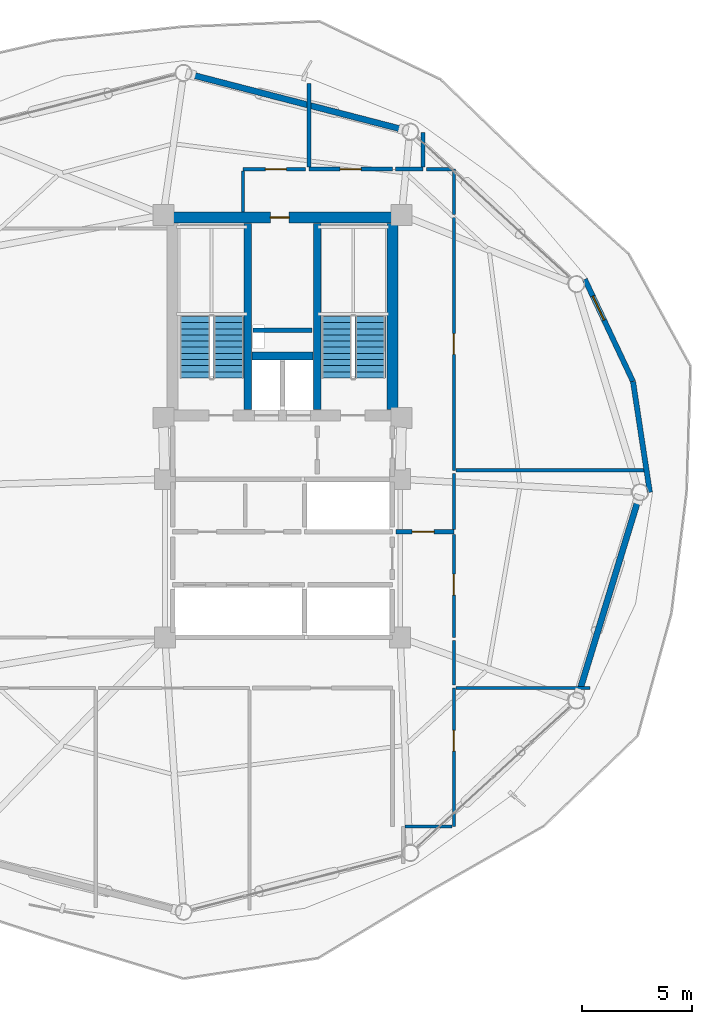
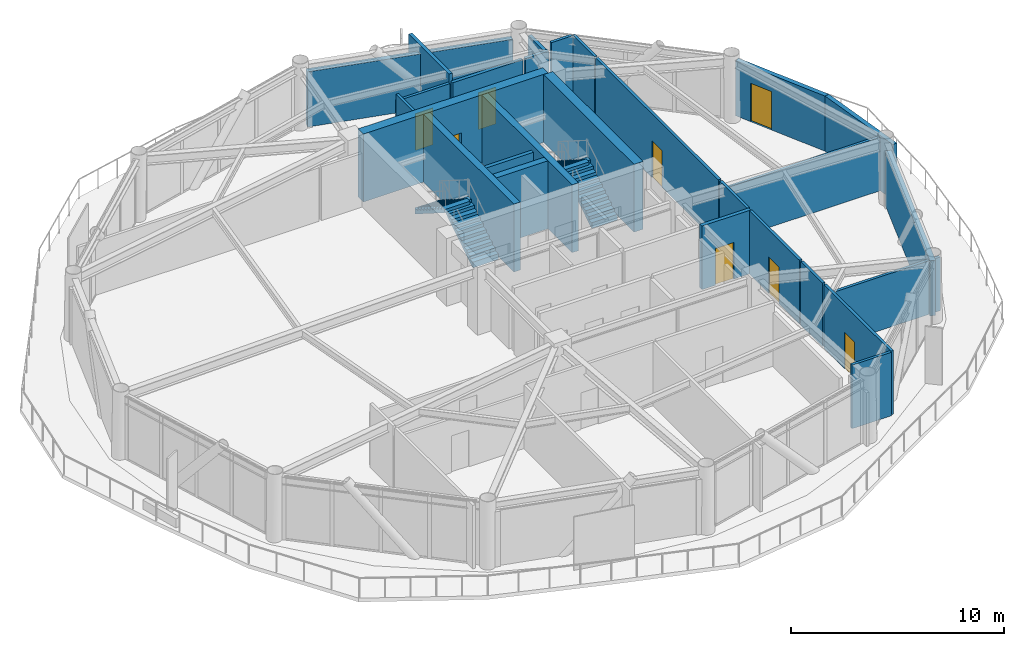
# One storey, part 19 of 23: 27 walls, 8 doors, 4 stair flights, 8 openings, 2 elements without a shape of their own.
"""IFC4 building model written with IfcOpenShell, lengths in metres."""

from ifc_helpers import new_model, si_unit, direction, frame, frame_2d, origin, place, context, subcontext, project, spatial, polyline, rectangle, outline, extrude, material, layer, layer_set, type_object, element, fill, aggregate, save


model = new_model("IFC4")

# Units and contexts
model_context = context("Model", 3, precision=1e-05, world=origin(), true_north=direction((0.0, 1.0)))
body_context = subcontext(model_context, "Body", "Model", "MODEL_VIEW")
ifc_project = project(units=[si_unit("LENGTHUNIT", "METRE"), si_unit("AREAUNIT", "SQUARE_METRE"), si_unit("VOLUMEUNIT", "CUBIC_METRE"), si_unit("PLANEANGLEUNIT", "RADIAN"), si_unit("MASSUNIT", "GRAM", prefix="KILO")], contexts=[model_context])

# Site, building, storey
site_placement = place(None, origin())
site = spatial("IfcSite", under=ifc_project, at=site_placement, CompositionType="ELEMENT")
building_placement = place(site_placement, origin())
building = spatial("IfcBuilding", under=site, at=building_placement, Name="Varnakorn Sky Granary", CompositionType="ELEMENT")
storey_placement = place(building_placement, frame((0.0, 0.0, 150.0)))
storey = spatial("IfcBuildingStorey", under=building, at=storey_placement, Name="L37", CompositionType="ELEMENT", Elevation=150.0)

# Walls
ifc_material_1 = material(Name="Concrete C50/60", Category="concrete")
ifc_layer_1 = layer(ifc_material_1, 0.35009765625, Name="Concrete C50/60")
ifc_layer_set_1 = layer_set([ifc_layer_1], Name="Concrete C50/60")
wall_type_1 = type_object("IfcWallType", Name="WT-CW-INT-350", PredefinedType="SHEAR", material=ifc_layer_set_1)
for number, where, z_axis, x_axis, name in (
    (1, (1.419921875, 3.760009765625, 0.0), (0.0, 0.0, 1.0), (0.0, 1.0, 0.0), "Stair ST-1 Core Wall L37"),
    (2, (4.580078125, 3.760009765625, 0.0), (0.0, 0.0, 1.0), (0.0, 1.0, 0.0), "Stair ST-2 Core Wall L37"),
):
    element("IfcWall", number, at=place(storey_placement, frame(where, z_axis=z_axis, x_axis=x_axis)), inside=storey, type_object=wall_type_1, Name=name, PredefinedType="SHEAR", context=body_context, shape_type="SweptSolid", body=[
        extrude(rectangle(XDim=8.47998046875, YDim=0.35009765625, at=frame_2d((4.239990234375, 0.0))), origin(), (0.0, 0.0, 1.0), 3.89208984375),
    ])
wall_1_placement = place(storey_placement, frame((1.610107421875, 6.199951171875, 0.0), z_axis=(0.0, 0.0, 1.0), x_axis=(1.0, 0.0, 0.0)))
element("IfcWall", 3, at=wall_1_placement, inside=storey, type_object=wall_type_1, Name="Core Lift Shaft Cross Wall L37", PredefinedType="SHEAR", context=body_context, shape_type="SweptSolid", body=[
    extrude(rectangle(XDim=2.77978515625, YDim=0.35009765625, at=frame_2d((1.389892578125, 0.0))), origin(), (0.0, 0.0, 1.0), 3.89208984375),
])

# Wall, opening, door
ifc_material_2 = material(Name="Concrete C60/75", Category="concrete")
ifc_layer_2 = layer(ifc_material_2, 0.5, Name="Concrete C60/75")
ifc_layer_set_2 = layer_set([ifc_layer_2], Name="Concrete C60/75")
wall_type_2 = type_object("IfcWallType", Name="WT-CW-SHEAR-500", PredefinedType="SHEAR", material=ifc_layer_set_2)
wall_2_placement = place(storey_placement, frame((-2.0, 12.5, 0.0), z_axis=(0.0, 0.0, 1.0), x_axis=(1.0, 0.0, 0.0)))
wall_2 = element("IfcWall", 4, at=wall_2_placement, inside=storey, type_object=wall_type_2, Name="Core North Shear Wall L37", PredefinedType="SHEAR", context=body_context, shape_type="SweptSolid", body=[
    extrude(rectangle(XDim=10.0, YDim=0.5, at=frame_2d((5.0, 0.0))), origin(), (0.0, 0.0, 1.0), 3.89208984375),
])
opening_1_placement = place(wall_2_placement, frame((4.449951171875, 0.0, 0.0)))
opening_1 = element("IfcOpeningElement", 5, at=opening_1_placement, cuts=wall_2, Name="Opening FD-60N", PredefinedType="OPENING", context=body_context, shape_type="SweptSolid", body=[
    extrude(rectangle(XDim=0.85009765625, YDim=2.10009765625, at=frame_2d((0.425048828125, 1.050048828125))), frame((0.0, 0.260009765625, 0.0), z_axis=(0.0, -1.0, 0.0), x_axis=(1.0, 0.0, 0.0)), (0.0, 0.0, 1.0), 0.52001953125),
])
ifc_material_3 = material(Name="Acoustic Timber Fire Leaf", Category="wood")
door_type_1 = type_object("IfcDoorType", Name="DR-FD60-850", OperationType="NOTDEFINED", PredefinedType="DOOR", material=ifc_material_3)
door_1_placement = place(opening_1_placement, origin())
door_1 = element("IfcDoor", 6, at=door_1_placement, inside=storey, type_object=door_type_1, Name="Core North Service Door L37", OperationType="SINGLE_SWING_LEFT", OverallHeight=2.10009765625, OverallWidth=0.85009765625, PredefinedType="DOOR", context=body_context, shape_type="SweptSolid", body=[
    extrude(rectangle(XDim=0.85009765625, YDim=2.10009765625, at=frame_2d((0.425048828125, 1.050048828125))), frame((0.0, 0.02490234375, 0.0), z_axis=(0.0, -1.0, 0.0), x_axis=(1.0, 0.0, 0.0)), (0.0, 0.0, 1.0), 0.050048828125),
])
fill(opening_1, door_1)

# Walls
wall_3_placement = place(storey_placement, frame((8.0, 3.760009765625, 0.0), z_axis=(0.0, 0.0, 1.0), x_axis=(0.0, 1.0, 0.0)))
element("IfcWall", 7, at=wall_3_placement, inside=storey, type_object=wall_type_2, Name="Core East Shear Wall L37", PredefinedType="SHEAR", context=body_context, shape_type="SweptSolid", body=[
    extrude(rectangle(XDim=8.47998046875, YDim=0.5, at=frame_2d((4.239990234375, 0.0))), origin(), (0.0, 0.0, 1.0), 3.89208984375),
])
ifc_material_4 = material(Name="Precast concrete C40/50", Category="concrete")
ifc_layer_3 = layer(ifc_material_4, 0.239990234375, Name="Precast concrete C40/50")
ifc_layer_set_3 = layer_set([ifc_layer_3], Name="Precast concrete C40/50")
wall_type_3 = type_object("IfcWallType", Name="WT-EW-BAL-260", PredefinedType="SOLIDWALL", material=ifc_layer_set_3)
wall_4_placement = place(storey_placement, frame((18.94677734375, 5.0400390625, 0.0), z_axis=(0.0, 0.0, 1.0), x_axis=(0.150279190665, -0.988643598499, 0.0)))
element("IfcWall", 8, at=wall_4_placement, inside=storey, type_object=wall_type_3, Name="Balcony Threshold Facade Wall L37-B01A", PredefinedType="SOLIDWALL", context=body_context, shape_type="SweptSolid", body=[
    extrude(rectangle(XDim=5.097900390625, YDim=0.239990234375, at=frame_2d((2.548828125, 0.0))), origin(), (0.0, 0.0, 1.0), 3.159912109375),
])

# Wall, opening, door
wall_5_placement = place(storey_placement, frame((16.754150390625, 9.69140625, 0.0), z_axis=(0.0, 0.0, 1.0), x_axis=(0.426393705242, -0.904537676457, 0.0)))
wall_5 = element("IfcWall", 9, at=wall_5_placement, inside=storey, type_object=wall_type_3, Name="Balcony Return Facade Wall L37-B01B", PredefinedType="SOLIDWALL", context=body_context, shape_type="SweptSolid", body=[
    extrude(rectangle(XDim=5.142333984375, YDim=0.239990234375, at=frame_2d((2.5712890625, 0.0))), origin(), (0.0, 0.0, 1.0), 3.159912109375),
])
opening_2_placement = place(wall_5_placement, frame((0.85009765625, 0.0, 0.0)))
opening_2 = element("IfcOpeningElement", 10, at=opening_2_placement, cuts=wall_5, Name="Opening BD-01", PredefinedType="OPENING", context=body_context, shape_type="SweptSolid", body=[
    extrude(rectangle(XDim=1.199951171875, YDim=2.199951171875, at=frame_2d((0.60009765625, 1.10009765625))), frame((0.0, 0.1298828125, 0.0), z_axis=(0.0, -1.0, 0.0), x_axis=(1.0, 0.0, 0.0)), (0.0, 0.0, 1.0), 0.260009765625),
])
ifc_material_5 = material(Name="Anodised Bronze Aluminium Alloy 6063-T6", Category="aluminium")
door_type_2 = type_object("IfcDoorType", Name="DR-BAL-1200", OperationType="NOTDEFINED", PredefinedType="DOOR", material=ifc_material_5)
door_2_placement = place(opening_2_placement, origin())
door_2 = element("IfcDoor", 11, at=door_2_placement, inside=storey, type_object=door_type_2, Name="Sky-Farm Balcony Access Door L37", OperationType="SINGLE_SWING_LEFT", OverallHeight=2.199951171875, OverallWidth=1.199951171875, PredefinedType="DOOR", context=body_context, shape_type="SweptSolid", body=[
    extrude(rectangle(XDim=1.199951171875, YDim=2.199951171875, at=frame_2d((0.60009765625, 1.10009765625))), frame((0.0, 0.02490234375, 0.0), z_axis=(0.0, -1.0, 0.0), x_axis=(1.0, 0.0, 0.0)), (0.0, 0.0, 1.0), 0.050048828125),
])
fill(opening_2, door_2)

# Walls
ifc_layer_4 = layer(ifc_material_4, 0.280029296875, Name="Precast concrete C40/50")
ifc_layer_set_4 = layer_set([ifc_layer_4], Name="Precast concrete C40/50")
wall_type_4 = type_object("IfcWallType", Name="WT-EW-CRN-280", PredefinedType="SOLIDWALL", material=ifc_layer_set_4)
wall_6_placement = place(storey_placement, frame((-1.1748046875, 19.003662109375, 0.0), z_axis=(0.0, 0.0, 1.0), x_axis=(0.968054026721, -0.250741702452, 0.0)))
element("IfcWall", 12, at=wall_6_placement, inside=storey, type_object=wall_type_4, Name="Agritech Insulated Precast Facade Wall L37-P03", PredefinedType="SOLIDWALL", context=body_context, shape_type="SweptSolid", body=[
    extrude(rectangle(XDim=9.992919921875, YDim=0.280029296875, at=frame_2d((4.99658203125, 0.0))), origin(), (0.0, 0.0, 1.0), 3.159912109375),
])
wall_7_placement = place(storey_placement, frame((19.1845703125, -0.3212890625, 0.0), z_axis=(0.0, 0.0, 1.0), x_axis=(-0.29274484374, -0.956190596306, 0.0)))
element("IfcWall", 13, at=wall_7_placement, inside=storey, type_object=wall_type_4, Name="Agritech Insulated Precast Facade Wall L37-P12", PredefinedType="SOLIDWALL", context=body_context, shape_type="SweptSolid", body=[
    extrude(rectangle(XDim=9.23876953125, YDim=0.280029296875, at=frame_2d((4.619384765625, 0.0))), origin(), (0.0, 0.0, 1.0), 3.159912109375),
])

# Wall, opening, door
ifc_material_6 = material(Name="Autoclaved Aerated Concrete Blockwork", Category="masonry")
ifc_layer_5 = layer(ifc_material_6, 0.199951171875, Name="Autoclaved Aerated Concrete Blockwork")
ifc_layer_set_5 = layer_set([ifc_layer_5], Name="Autoclaved Aerated Concrete Blockwork")
wall_type_5 = type_object("IfcWallType", Name="WT-FIRE-200", PredefinedType="MOVABLE", material=ifc_layer_set_5)
wall_8_placement = place(storey_placement, frame((8.159912109375, -1.800048828125, 0.0), z_axis=(0.0, 0.0, 1.0), x_axis=(1.0, 0.0, 0.0)))
wall_8 = element("IfcWall", 14, at=wall_8_placement, inside=storey, type_object=wall_type_5, Name="Interior Partition Wall L37-018", PredefinedType="MOVABLE", context=body_context, shape_type="SweptSolid", body=[
    extrude(rectangle(XDim=2.64013671875, YDim=0.199951171875, at=frame_2d((1.320068359375, 0.0))), origin(), (0.0, 0.0, 1.0), 3.639892578125),
])
opening_3_placement = place(wall_8_placement, frame((0.739990234375, 0.0, 0.0)))
opening_3 = element("IfcOpeningElement", 15, at=opening_3_placement, cuts=wall_8, Name="Opening FD-60", PredefinedType="OPENING", context=body_context, shape_type="SweptSolid", body=[
    extrude(rectangle(XDim=1.0, YDim=2.10009765625, at=frame_2d((0.5, 1.050048828125))), frame((0.0, 0.10986328125, 0.0), z_axis=(0.0, -1.0, 0.0), x_axis=(1.0, 0.0, 0.0)), (0.0, 0.0, 1.0), 0.219970703125),
])
door_type_3 = type_object("IfcDoorType", Name="DR-FD60-1000", OperationType="NOTDEFINED", PredefinedType="DOOR", material=ifc_material_3)
door_3_placement = place(opening_3_placement, origin())
door_3 = element("IfcDoor", 16, at=door_3_placement, inside=storey, type_object=door_type_3, Name="Interior Door L37-018-1", OperationType="SINGLE_SWING_LEFT", OverallHeight=2.10009765625, OverallWidth=1.0, PredefinedType="DOOR", context=body_context, shape_type="SweptSolid", body=[
    extrude(rectangle(XDim=1.0, YDim=2.10009765625, at=frame_2d((0.5, 1.050048828125))), frame((0.0, 0.02490234375, 0.0), z_axis=(0.0, -1.0, 0.0), x_axis=(1.0, 0.0, 0.0)), (0.0, 0.0, 1.0), 0.050048828125),
])
fill(opening_3, door_3)

ifc_material_7 = material(Name="Gypsum Plasterboard on Steel Stud", Category="steel")
ifc_layer_6 = layer(ifc_material_7, 0.14990234375, Name="Gypsum Plasterboard on Steel Stud")
ifc_layer_set_6 = layer_set([ifc_layer_6], Name="Gypsum Plasterboard on Steel Stud")
wall_type_6 = type_object("IfcWallType", Name="WT-PART-150", PredefinedType="PARTITIONING", material=ifc_layer_set_6)
wall_9_placement = place(storey_placement, frame((10.800048828125, -15.199951171875, 0.0), z_axis=(0.0, 0.0, 1.0), x_axis=(0.0, 1.0, 0.0)))
wall_9 = element("IfcWall", 17, at=wall_9_placement, inside=storey, type_object=wall_type_6, Name="Interior Partition Wall L37-023", PredefinedType="PARTITIONING", context=body_context, shape_type="SweptSolid", body=[
    extrude(rectangle(XDim=6.300048828125, YDim=0.14990234375, at=frame_2d((3.14990234375, 0.0))), origin(), (0.0, 0.0, 1.0), 3.639892578125),
])
opening_4_placement = place(wall_9_placement, frame((3.425048828125, 0.0, 0.0)))
opening_4 = element("IfcOpeningElement", 18, at=opening_4_placement, cuts=wall_9, Name="Opening ID-95", PredefinedType="OPENING", context=body_context, shape_type="SweptSolid", body=[
    extrude(rectangle(XDim=0.949951171875, YDim=2.10009765625, at=frame_2d((0.47509765625, 1.050048828125))), frame((0.0, 0.0849609375, 0.0), z_axis=(0.0, -1.0, 0.0), x_axis=(1.0, 0.0, 0.0)), (0.0, 0.0, 1.0), 0.169921875),
])
ifc_material_8 = material(Name="Solid-Core Teak Veneer Leaf", Category="timber")
door_type_4 = type_object("IfcDoorType", Name="DR-INT-950", OperationType="NOTDEFINED", PredefinedType="DOOR", material=ifc_material_8)
door_4_placement = place(opening_4_placement, origin())
door_4 = element("IfcDoor", 19, at=door_4_placement, inside=storey, type_object=door_type_4, Name="Interior Door L37-023-1", OperationType="SINGLE_SWING_RIGHT", OverallHeight=2.10009765625, OverallWidth=0.949951171875, PredefinedType="DOOR", context=body_context, shape_type="SweptSolid", body=[
    extrude(rectangle(XDim=0.949951171875, YDim=2.10009765625, at=frame_2d((0.47509765625, 1.050048828125))), frame((0.0, 0.02490234375, 0.0), z_axis=(0.0, -1.0, 0.0), x_axis=(1.0, 0.0, 0.0)), (0.0, 0.0, 1.0), 0.050048828125),
])
fill(opening_4, door_4)

wall_10_placement = place(storey_placement, frame((4.050048828125, 14.699951171875, 0.0), z_axis=(0.0, 0.0, 1.0), x_axis=(-1.0, 0.0, 0.0)))
wall_10 = element("IfcWall", 20, at=wall_10_placement, inside=storey, type_object=wall_type_6, Name="Interior Partition Wall L37-025", PredefinedType="PARTITIONING", context=body_context, shape_type="SweptSolid", body=[
    extrude(rectangle(XDim=2.85009765625, YDim=0.14990234375, at=frame_2d((1.425048828125, 0.0))), origin(), (0.0, 0.0, 1.0), 3.221923828125),
])
opening_5_placement = place(wall_10_placement, frame((0.875, 0.0, 0.0)))
opening_5 = element("IfcOpeningElement", 21, at=opening_5_placement, cuts=wall_10, Name="Opening ID-95", PredefinedType="OPENING", context=body_context, shape_type="SweptSolid", body=[
    extrude(rectangle(XDim=0.949951171875, YDim=2.10009765625, at=frame_2d((0.47509765625, 1.050048828125))), frame((0.0, 0.0849609375, 0.0), z_axis=(0.0, -1.0, 0.0), x_axis=(1.0, 0.0, 0.0)), (0.0, 0.0, 1.0), 0.169921875),
])
door_5_placement = place(opening_5_placement, origin())
door_5 = element("IfcDoor", 22, at=door_5_placement, inside=storey, type_object=door_type_4, Name="Interior Door L37-025-1", OperationType="SINGLE_SWING_RIGHT", OverallHeight=2.10009765625, OverallWidth=0.949951171875, PredefinedType="DOOR", context=body_context, shape_type="SweptSolid", body=[
    extrude(rectangle(XDim=0.949951171875, YDim=2.10009765625, at=frame_2d((0.47509765625, 1.050048828125))), frame((0.0, 0.02490234375, 0.0), z_axis=(0.0, -1.0, 0.0), x_axis=(1.0, 0.0, 0.0)), (0.0, 0.0, 1.0), 0.050048828125),
])
fill(opening_5, door_5)

wall_11_placement = place(storey_placement, frame((10.800048828125, -6.60009765625, 0.0), z_axis=(0.0, 0.0, 1.0), x_axis=(0.0, 1.0, 0.0)))
wall_11 = element("IfcWall", 23, at=wall_11_placement, inside=storey, type_object=wall_type_6, Name="Interior Partition Wall L37-026", PredefinedType="PARTITIONING", context=body_context, shape_type="SweptSolid", body=[
    extrude(rectangle(XDim=4.690185546875, YDim=0.14990234375, at=frame_2d((2.34521484375, 0.0))), origin(), (0.0, 0.0, 1.0), 3.639892578125),
])
opening_6_placement = place(wall_11_placement, frame((1.925048828125, 0.0, 0.0)))
opening_6 = element("IfcOpeningElement", 24, at=opening_6_placement, cuts=wall_11, Name="Opening ID-95", PredefinedType="OPENING", context=body_context, shape_type="SweptSolid", body=[
    extrude(rectangle(XDim=0.949951171875, YDim=2.10009765625, at=frame_2d((0.47509765625, 1.050048828125))), frame((0.0, 0.0849609375, 0.0), z_axis=(0.0, -1.0, 0.0), x_axis=(1.0, 0.0, 0.0)), (0.0, 0.0, 1.0), 0.169921875),
])
door_6_placement = place(opening_6_placement, origin())
door_6 = element("IfcDoor", 25, at=door_6_placement, inside=storey, type_object=door_type_4, Name="Interior Door L37-026-1", OperationType="SINGLE_SWING_LEFT", OverallHeight=2.10009765625, OverallWidth=0.949951171875, PredefinedType="DOOR", context=body_context, shape_type="SweptSolid", body=[
    extrude(rectangle(XDim=0.949951171875, YDim=2.10009765625, at=frame_2d((0.47509765625, 1.050048828125))), frame((0.0, 0.02490234375, 0.0), z_axis=(0.0, -1.0, 0.0), x_axis=(1.0, 0.0, 0.0)), (0.0, 0.0, 1.0), 0.050048828125),
])
fill(opening_6, door_6)

wall_12_placement = place(storey_placement, frame((10.800048828125, 1.0, 0.0), z_axis=(0.0, 0.0, 1.0), x_axis=(0.0, 1.0, 0.0)))
wall_12 = element("IfcWall", 26, at=wall_12_placement, inside=storey, type_object=wall_type_6, Name="Interior Partition Wall L37-027", PredefinedType="PARTITIONING", context=body_context, shape_type="SweptSolid", body=[
    extrude(rectangle(XDim=11.5, YDim=0.14990234375, at=frame_2d((5.75, 0.0))), origin(), (0.0, 0.0, 1.0), 3.639892578125),
])
opening_7_placement = place(wall_12_placement, frame((5.27490234375, 0.0, 0.0)))
opening_7 = element("IfcOpeningElement", 27, at=opening_7_placement, cuts=wall_12, Name="Opening ID-95", PredefinedType="OPENING", context=body_context, shape_type="SweptSolid", body=[
    extrude(rectangle(XDim=0.949951171875, YDim=2.10009765625, at=frame_2d((0.47509765625, 1.050048828125))), frame((0.0, 0.0849609375, 0.0), z_axis=(0.0, -1.0, 0.0), x_axis=(1.0, 0.0, 0.0)), (0.0, 0.0, 1.0), 0.169921875),
])
door_7_placement = place(opening_7_placement, origin())
door_7 = element("IfcDoor", 28, at=door_7_placement, inside=storey, type_object=door_type_4, Name="Interior Door L37-027-1", OperationType="SINGLE_SWING_RIGHT", OverallHeight=2.10009765625, OverallWidth=0.949951171875, PredefinedType="DOOR", context=body_context, shape_type="SweptSolid", body=[
    extrude(rectangle(XDim=0.949951171875, YDim=2.10009765625, at=frame_2d((0.47509765625, 1.050048828125))), frame((0.0, 0.02490234375, 0.0), z_axis=(0.0, -1.0, 0.0), x_axis=(1.0, 0.0, 0.0)), (0.0, 0.0, 1.0), 0.050048828125),
])
fill(opening_7, door_7)

# Walls
wall_13_placement = place(storey_placement, frame((8.5849609375, -15.199951171875, 0.0), z_axis=(0.0, 0.0, 1.0), x_axis=(1.0, 0.0, 0.0)))
element("IfcWall", 29, at=wall_13_placement, inside=storey, type_object=wall_type_6, Name="Interior Partition Wall L37-039", PredefinedType="PARTITIONING", context=body_context, shape_type="SweptSolid", body=[
    extrude(rectangle(XDim=2.130126953125, YDim=0.14990234375, at=frame_2d((1.06494140625, 0.0))), origin(), (0.0, 0.0, 1.0), 3.639892578125),
])
wall_14_placement = place(storey_placement, frame((10.885009765625, -8.89990234375, 0.0), z_axis=(0.0, 0.0, 1.0), x_axis=(1.0, 0.0, 0.0)))
element("IfcWall", 30, at=wall_14_placement, inside=storey, type_object=wall_type_6, Name="Interior Partition Wall L37-040", PredefinedType="PARTITIONING", context=body_context, shape_type="SweptSolid", body=[
    extrude(rectangle(XDim=6.110107421875, YDim=0.14990234375, at=frame_2d((3.05517578125, 0.0))), origin(), (0.0, 0.0, 1.0), 3.072021484375),
])
wall_15_placement = place(storey_placement, frame((1.199951171875, 14.614990234375, 0.0), z_axis=(0.0, 0.0, 1.0), x_axis=(0.0, -1.0, 0.0)))
element("IfcWall", 31, at=wall_15_placement, inside=storey, type_object=wall_type_6, Name="Interior Partition Wall L37-044", PredefinedType="PARTITIONING", context=body_context, shape_type="SweptSolid", body=[
    extrude(rectangle(XDim=1.85498046875, YDim=0.14990234375, at=frame_2d((0.927490234375, 0.0))), origin(), (0.0, 0.0, 1.0), 3.639892578125),
])
wall_16_placement = place(storey_placement, frame((10.800048828125, -8.764892578125, 0.0), z_axis=(0.0, 0.0, 1.0), x_axis=(0.0, 1.0, 0.0)))
element("IfcWall", 32, at=wall_16_placement, inside=storey, type_object=wall_type_6, Name="Interior Partition Wall L37-046", PredefinedType="PARTITIONING", context=body_context, shape_type="SweptSolid", body=[
    extrude(rectangle(XDim=2.02978515625, YDim=0.14990234375, at=frame_2d((1.014892578125, 0.0))), origin(), (0.0, 0.0, 1.0), 3.639892578125),
])
wall_17_placement = place(storey_placement, frame((10.800048828125, -1.68994140625, 0.0), z_axis=(0.0, 0.0, 1.0), x_axis=(0.0, 1.0, 0.0)))
element("IfcWall", 33, at=wall_17_placement, inside=storey, type_object=wall_type_6, Name="Interior Partition Wall L37-047", PredefinedType="PARTITIONING", context=body_context, shape_type="SweptSolid", body=[
    extrude(rectangle(XDim=2.554931640625, YDim=0.14990234375, at=frame_2d((1.27734375, 0.0))), origin(), (0.0, 0.0, 1.0), 3.639892578125),
])
wall_18_placement = place(storey_placement, frame((10.885009765625, 1.0, 0.0), z_axis=(0.0, 0.0, 1.0), x_axis=(1.0, 0.0, 0.0)))
element("IfcWall", 34, at=wall_18_placement, inside=storey, type_object=wall_type_6, Name="Interior Partition Wall L37-048", PredefinedType="PARTITIONING", context=body_context, shape_type="SweptSolid", body=[
    extrude(rectangle(XDim=8.555908203125, YDim=0.14990234375, at=frame_2d((4.27783203125, 0.0))), origin(), (0.0, 0.0, 1.0), 3.072021484375),
])
wall_19_placement = place(storey_placement, frame((10.800048828125, 12.635009765625, 0.0), z_axis=(0.0, 0.0, 1.0), x_axis=(0.0, 1.0, 0.0)))
element("IfcWall", 35, at=wall_19_placement, inside=storey, type_object=wall_type_6, Name="Interior Partition Wall L37-049", PredefinedType="PARTITIONING", context=body_context, shape_type="SweptSolid", body=[
    extrude(rectangle(XDim=2.06494140625, YDim=0.14990234375, at=frame_2d((1.032470703125, 0.0))), origin(), (0.0, 0.0, 1.0), 3.639892578125),
])
wall_20_placement = place(storey_placement, frame((10.715087890625, 14.699951171875, 0.0), z_axis=(0.0, 0.0, 1.0), x_axis=(-1.0, 0.0, 0.0)))
element("IfcWall", 36, at=wall_20_placement, inside=storey, type_object=wall_type_6, Name="Interior Partition Wall L37-050", PredefinedType="PARTITIONING", context=body_context, shape_type="SweptSolid", body=[
    extrude(rectangle(XDim=1.1650390625, YDim=0.14990234375, at=frame_2d((0.58251953125, 0.0))), origin(), (0.0, 0.0, 1.0), 3.639892578125),
])

# Wall, opening, door
ifc_material_9 = material(Name="Moisture-Resistant Gypsum on Stud", Category="gypsum")
ifc_layer_7 = layer(ifc_material_9, 0.179931640625, Name="Moisture-Resistant Gypsum on Stud")
ifc_layer_set_7 = layer_set([ifc_layer_7], Name="Moisture-Resistant Gypsum on Stud")
wall_type_7 = type_object("IfcWallType", Name="WT-PLUMB-180", PredefinedType="PLUMBINGWALL", material=ifc_layer_set_7)
wall_21_placement = place(storey_placement, frame((8.0, 14.699951171875, 0.0), z_axis=(0.0, 0.0, 1.0), x_axis=(-1.0, 0.0, 0.0)))
wall_21 = element("IfcWall", 37, at=wall_21_placement, inside=storey, type_object=wall_type_7, Name="Interior Partition Wall L37-019", PredefinedType="PLUMBINGWALL", context=body_context, shape_type="SweptSolid", body=[
    extrude(rectangle(XDim=3.800048828125, YDim=0.179931640625, at=frame_2d((1.89990234375, 0.0))), origin(), (0.0, 0.0, 1.0), 3.221923828125),
])
opening_8_placement = place(wall_21_placement, frame((1.425048828125, 0.0, 0.0)))
opening_8 = element("IfcOpeningElement", 38, at=opening_8_placement, cuts=wall_21, Name="Opening ID-95", PredefinedType="OPENING", context=body_context, shape_type="SweptSolid", body=[
    extrude(rectangle(XDim=0.949951171875, YDim=2.10009765625, at=frame_2d((0.47509765625, 1.050048828125))), frame((0.0, 0.10009765625, 0.0), z_axis=(0.0, -1.0, 0.0), x_axis=(1.0, 0.0, 0.0)), (0.0, 0.0, 1.0), 0.199951171875),
])
door_8_placement = place(opening_8_placement, origin())
door_8 = element("IfcDoor", 39, at=door_8_placement, inside=storey, type_object=door_type_4, Name="Interior Door L37-019-1", OperationType="SINGLE_SWING_RIGHT", OverallHeight=2.10009765625, OverallWidth=0.949951171875, PredefinedType="DOOR", context=body_context, shape_type="SweptSolid", body=[
    extrude(rectangle(XDim=0.949951171875, YDim=2.10009765625, at=frame_2d((0.47509765625, 1.050048828125))), frame((0.0, 0.02490234375, 0.0), z_axis=(0.0, -1.0, 0.0), x_axis=(1.0, 0.0, 0.0)), (0.0, 0.0, 1.0), 0.050048828125),
])
fill(opening_8, door_8)

# Walls
wall_22_placement = place(storey_placement, frame((9.39990234375, 14.699951171875, 0.0), z_axis=(0.0, 0.0, 1.0), x_axis=(-1.0, 0.0, 0.0)))
element("IfcWall", 40, at=wall_22_placement, inside=storey, type_object=wall_type_7, Name="Interior Partition Wall L37-033", PredefinedType="PLUMBINGWALL", context=body_context, shape_type="SweptSolid", body=[
    extrude(rectangle(XDim=1.25, YDim=0.179931640625, at=frame_2d((0.625, 0.0))), origin(), (0.0, 0.0, 1.0), 3.221923828125),
])
wall_23_placement = place(storey_placement, frame((4.199951171875, 18.593017578125, 0.0), z_axis=(0.0, 0.0, 1.0), x_axis=(0.0, -1.0, 0.0)))
element("IfcWall", 41, at=wall_23_placement, inside=storey, type_object=wall_type_7, Name="Interior Partition Wall L37-045", PredefinedType="PLUMBINGWALL", context=body_context, shape_type="SweptSolid", body=[
    extrude(rectangle(XDim=3.79296875, YDim=0.179931640625, at=frame_2d((1.896484375, 0.0))), origin(), (0.0, 0.0, 1.0), 3.639892578125),
])
wall_24_placement = place(storey_placement, frame((9.39990234375, 14.800048828125, 0.0), z_axis=(0.0, 0.0, 1.0), x_axis=(0.0, 1.0, 0.0)))
element("IfcWall", 42, at=wall_24_placement, inside=storey, type_object=wall_type_7, Name="Interior Partition Wall L37-051", PredefinedType="PLUMBINGWALL", context=body_context, shape_type="SweptSolid", body=[
    extrude(rectangle(XDim=1.579833984375, YDim=0.179931640625, at=frame_2d((0.7900390625, 0.0))), origin(), (0.0, 0.0, 1.0), 3.072021484375),
])
ifc_layer_8 = layer(ifc_material_6, 0.199951171875, Name="Autoclaved Aerated Concrete Blockwork")
ifc_layer_set_8 = layer_set([ifc_layer_8], Name="Autoclaved Aerated Concrete Blockwork")
wall_type_8 = type_object("IfcWallType", Name="WT-SHAFT-200", PredefinedType="SOLIDWALL", material=ifc_layer_set_8)
wall_25_placement = place(storey_placement, frame((1.64990234375, 7.3798828125, 0.0), z_axis=(0.0, 0.0, 1.0), x_axis=(1.0, 0.0, 0.0)))
element("IfcWall", 43, at=wall_25_placement, inside=storey, type_object=wall_type_8, Name="Interior Partition Wall L37-002", PredefinedType="SOLIDWALL", context=body_context, shape_type="SweptSolid", body=[
    extrude(rectangle(XDim=2.7001953125, YDim=0.199951171875, at=frame_2d((1.35009765625, 0.0))), origin(), (0.0, 0.0, 1.0), 3.639892578125),
])

# Stair, stair flights
ifc_material_10 = material(Name="Concrete C40/50", Category="concrete")
stair_type = type_object("IfcStairType", Name="ST-MAIN-ASSEMBLY", PredefinedType="HALF_TURN_STAIR", material=ifc_material_10)
stair_1_placement = place(storey_placement, origin())
stair_1 = element("IfcStair", 44, at=stair_1_placement, inside=storey, type_object=stair_type, Name="L37 Protected Exit Stair ST-1", PredefinedType="HALF_TURN_STAIR")
stair_flight_type = type_object("IfcStairFlightType", Name="ST-MAIN-FLIGHT", PredefinedType="STRAIGHT", material=ifc_material_10)
stair_flight_1_placement = place(storey_placement, frame((0.550048828125, 5.199951171875, 0.0), z_axis=(0.0, 0.0, 1.0), x_axis=(0.0, 1.0, 0.0)))
stair_flight_1 = element("IfcStairFlight", 45, at=stair_flight_1_placement, type_object=stair_flight_type, Name="ST-1 flight 1", NumberOfRisers=11, NumberOfTreads=10, PredefinedType="STRAIGHT", RiserHeight=0.177272727, TreadLength=0.28, context=body_context, shape_type="SweptSolid", body=[
    extrude(outline(polyline([(0.0, -0.14990234375), (0.0, 0.0), (0.0, 0.17724609375), (0.280029296875, 0.17724609375), (0.280029296875, 0.3544921875), (0.56005859375, 0.3544921875), (0.56005859375, 0.53173828125), (0.840087890625, 0.53173828125), (0.840087890625, 0.708984375), (1.1201171875, 0.708984375), (1.1201171875, 0.886474609375), (1.39990234375, 0.886474609375), (1.39990234375, 1.063720703125), (1.679931640625, 1.063720703125), (1.679931640625, 1.240966796875), (1.9599609375, 1.240966796875), (1.9599609375, 1.418212890625), (2.239990234375, 1.418212890625), (2.239990234375, 1.595458984375), (2.52001953125, 1.595458984375), (2.52001953125, 1.772705078125), (2.800048828125, 1.772705078125), (2.800048828125, 1.949951171875), (2.800048828125, 1.59521484375), (0.050048828125, -0.14990234375), (0.0, -0.14990234375)])), frame((0.0, 0.68994140625, 0.0), z_axis=(0.0, -1.0, 0.0), x_axis=(1.0, 0.0, 0.0)), (0.0, 0.0, 1.0), 1.3798828125),
])
stair_flight_2_placement = place(storey_placement, frame((-0.97998046875, 8.0, 1.949951171875), z_axis=(0.0, 0.0, 1.0), x_axis=(0.0, -1.0, 0.0)))
stair_flight_2 = element("IfcStairFlight", 46, at=stair_flight_2_placement, type_object=stair_flight_type, Name="ST-1 flight 2", NumberOfRisers=11, NumberOfTreads=10, PredefinedType="STRAIGHT", RiserHeight=0.177272727, TreadLength=0.28, context=body_context, shape_type="SweptSolid", body=[
    extrude(outline(polyline([(0.0, -0.14990234375), (0.0, 0.0), (0.0, 0.17724609375), (0.280029296875, 0.17724609375), (0.280029296875, 0.3544921875), (0.56005859375, 0.3544921875), (0.56005859375, 0.53173828125), (0.840087890625, 0.53173828125), (0.840087890625, 0.708984375), (1.1201171875, 0.708984375), (1.1201171875, 0.886474609375), (1.39990234375, 0.886474609375), (1.39990234375, 1.063720703125), (1.679931640625, 1.063720703125), (1.679931640625, 1.240966796875), (1.9599609375, 1.240966796875), (1.9599609375, 1.418212890625), (2.239990234375, 1.418212890625), (2.239990234375, 1.595458984375), (2.52001953125, 1.595458984375), (2.52001953125, 1.772705078125), (2.800048828125, 1.772705078125), (2.800048828125, 1.949951171875), (2.800048828125, 1.59521484375), (0.050048828125, -0.14990234375), (0.0, -0.14990234375)])), frame((0.0, 0.68994140625, 0.0), z_axis=(0.0, -1.0, 0.0), x_axis=(1.0, 0.0, 0.0)), (0.0, 0.0, 1.0), 1.3798828125),
])
aggregate(stair_1, [stair_flight_1, stair_flight_2])

stair_2_placement = place(storey_placement, origin())
stair_2 = element("IfcStair", 47, at=stair_2_placement, inside=storey, type_object=stair_type, Name="L37 Protected Exit Stair ST-2", PredefinedType="HALF_TURN_STAIR")
stair_flight_3_placement = place(storey_placement, frame((6.989990234375, 5.199951171875, 0.0), z_axis=(0.0, 0.0, 1.0), x_axis=(0.0, 1.0, 0.0)))
stair_flight_3 = element("IfcStairFlight", 48, at=stair_flight_3_placement, type_object=stair_flight_type, Name="ST-2 flight 1", NumberOfRisers=11, NumberOfTreads=10, PredefinedType="STRAIGHT", RiserHeight=0.177272727, TreadLength=0.28, context=body_context, shape_type="SweptSolid", body=[
    extrude(outline(polyline([(0.0, -0.14990234375), (0.0, 0.0), (0.0, 0.17724609375), (0.280029296875, 0.17724609375), (0.280029296875, 0.3544921875), (0.56005859375, 0.3544921875), (0.56005859375, 0.53173828125), (0.840087890625, 0.53173828125), (0.840087890625, 0.708984375), (1.1201171875, 0.708984375), (1.1201171875, 0.886474609375), (1.39990234375, 0.886474609375), (1.39990234375, 1.063720703125), (1.679931640625, 1.063720703125), (1.679931640625, 1.240966796875), (1.9599609375, 1.240966796875), (1.9599609375, 1.418212890625), (2.239990234375, 1.418212890625), (2.239990234375, 1.595458984375), (2.52001953125, 1.595458984375), (2.52001953125, 1.772705078125), (2.800048828125, 1.772705078125), (2.800048828125, 1.949951171875), (2.800048828125, 1.59521484375), (0.050048828125, -0.14990234375), (0.0, -0.14990234375)])), frame((0.0, 0.68994140625, 0.0), z_axis=(0.0, -1.0, 0.0), x_axis=(1.0, 0.0, 0.0)), (0.0, 0.0, 1.0), 1.3798828125),
])
stair_flight_4_placement = place(storey_placement, frame((5.4599609375, 8.0, 1.949951171875), z_axis=(0.0, 0.0, 1.0), x_axis=(0.0, -1.0, 0.0)))
stair_flight_4 = element("IfcStairFlight", 49, at=stair_flight_4_placement, type_object=stair_flight_type, Name="ST-2 flight 2", NumberOfRisers=11, NumberOfTreads=10, PredefinedType="STRAIGHT", RiserHeight=0.177272727, TreadLength=0.28, context=body_context, shape_type="SweptSolid", body=[
    extrude(outline(polyline([(0.0, -0.14990234375), (0.0, 0.0), (0.0, 0.17724609375), (0.280029296875, 0.17724609375), (0.280029296875, 0.3544921875), (0.56005859375, 0.3544921875), (0.56005859375, 0.53173828125), (0.840087890625, 0.53173828125), (0.840087890625, 0.708984375), (1.1201171875, 0.708984375), (1.1201171875, 0.886474609375), (1.39990234375, 0.886474609375), (1.39990234375, 1.063720703125), (1.679931640625, 1.063720703125), (1.679931640625, 1.240966796875), (1.9599609375, 1.240966796875), (1.9599609375, 1.418212890625), (2.239990234375, 1.418212890625), (2.239990234375, 1.595458984375), (2.52001953125, 1.595458984375), (2.52001953125, 1.772705078125), (2.800048828125, 1.772705078125), (2.800048828125, 1.949951171875), (2.800048828125, 1.59521484375), (0.050048828125, -0.14990234375), (0.0, -0.14990234375)])), frame((0.0, 0.68994140625, 0.0), z_axis=(0.0, -1.0, 0.0), x_axis=(1.0, 0.0, 0.0)), (0.0, 0.0, 1.0), 1.3798828125),
])
aggregate(stair_2, [stair_flight_3, stair_flight_4])

save(model, "model.ifc")
